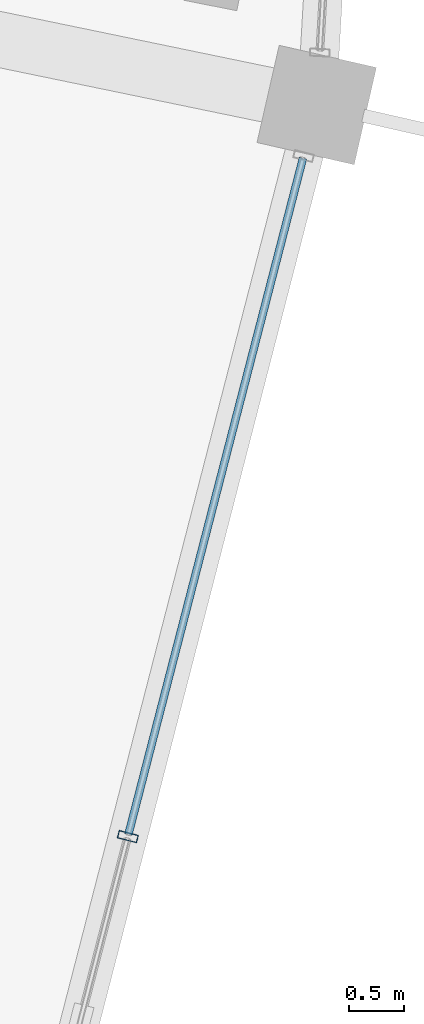
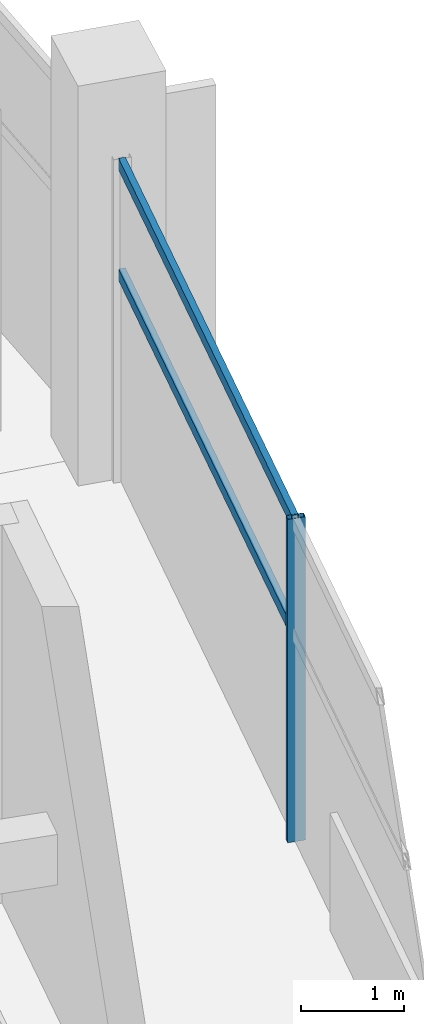
# One storey, part 57 of 156: 3 members, 1 element without a shape of its own.
"""IFC4 building model written with IfcOpenShell, lengths in metres."""

from ifc_helpers import new_model, si_unit, direction, frame, origin, origin_2d, place, context, subcontext, project, spatial, hollow_rectangle, extrude, material, layer, layer_set, material_profile, profile_set, type_object, element, aggregate, save


model = new_model("IFC4")

# Units and contexts
model_context = context("Model", 3, precision=1e-05, world=origin(), true_north=direction((0.0, 1.0)))
body_context = subcontext(model_context, "Body", "Model", "MODEL_VIEW")
ifc_project = project(units=[si_unit("LENGTHUNIT", "METRE"), si_unit("AREAUNIT", "SQUARE_METRE"), si_unit("VOLUMEUNIT", "CUBIC_METRE"), si_unit("PLANEANGLEUNIT", "RADIAN"), si_unit("MASSUNIT", "GRAM", prefix="KILO")], contexts=[model_context])

# Site, building, storey
site_placement = place(None, origin())
site = spatial("IfcSite", under=ifc_project, at=site_placement, CompositionType="ELEMENT")
building_placement = place(site_placement, origin())
building = spatial("IfcBuilding", under=site, at=building_placement, Name="Kazemori Nagisa Stadium", CompositionType="ELEMENT")
storey_placement = place(building_placement, frame((0.0, 0.0, 5.780029296875)))
storey = spatial("IfcBuildingStorey", under=building, at=storey_placement, Name="L01", CompositionType="ELEMENT", Elevation=5.780029296875)

# Curtain wall, members
ifc_material_1 = material(Name="Anodised aluminium 6063-T5", Category="aluminium")
ifc_layer = layer(ifc_material_1, 0.179931640625, Name="Anodised aluminium 6063-T5", Category="aluminium")
ifc_layer_set = layer_set([ifc_layer], Name="Anodised aluminium 6063-T5")
curtain_wall_type = type_object("IfcCurtainWallType", Name="CW_L01R3_96", PredefinedType="USERDEFINED", material=ifc_layer_set)
curtain_wall_placement = place(storey_placement, origin())
curtain_wall = element("IfcCurtainWall", 1, at=curtain_wall_placement, inside=storey, type_object=curtain_wall_type, Name="Unitised curtain wall CW-L01R3-96 L01", ObjectType="UNITISED CURTAIN WALL", PredefinedType="USERDEFINED")
ifc_material_2 = material(Name="Aluminium 6063-T5 anodised", Category="aluminium")
ifc_material_profile_1 = material_profile(ifc_material_2, hollow_rectangle(XDim=0.070068359375, YDim=0.179931640625, WallThickness=0.00390625, at=origin_2d()), Name="ALU-MULL-70x180x4")
ifc_profile_set_1 = profile_set([ifc_material_profile_1], Name="Aluminium 6063-T5 anodised")
member_type_1 = type_object("IfcMemberType", Name="Mullion_M01", PredefinedType="MULLION", material=ifc_profile_set_1)
member_1_placement = place(storey_placement, frame((215.176025390625, 75.998291015625, 0.0), z_axis=(0.0, 0.0, 1.0), x_axis=(0.249964642418, 0.968254965152, 0.0)))
member_1 = element("IfcMember", 2, at=member_1_placement, type_object=member_type_1, Name="Curtain wall mullion CW-L01R3-96-M3", PredefinedType="MULLION", context=body_context, shape_type="SweptSolid", body=[
    extrude(hollow_rectangle(XDim=0.070068359375, YDim=0.179931640625, WallThickness=0.00390625, at=origin_2d()), origin(), (0.0, 0.0, 1.0), 3.849853515625),
])
ifc_material_profile_2 = material_profile(ifc_material_2, hollow_rectangle(XDim=0.070068359375, YDim=0.139892578125, WallThickness=0.00390625, at=origin_2d()), Name="ALU-TRAN-70x140x4")
ifc_profile_set_2 = profile_set([ifc_material_profile_2], Name="Aluminium 6063-T5 anodised")
member_type_2 = type_object("IfcMemberType", Name="Transom_T01", PredefinedType="USERDEFINED", material=ifc_profile_set_2)
member_2_placement = place(storey_placement, frame((215.180908203125, 76.017822265625, 2.4638671875), z_axis=(0.249971699633, 0.968253143234, 0.0), x_axis=(-0.968253143234, 0.249971699633, 0.0)))
member_2 = element("IfcMember", 3, at=member_2_placement, type_object=member_type_2, Name="Curtain wall transom CW-L01R3-96-T3-mid", ObjectType="TRANSOM", PredefinedType="USERDEFINED", context=body_context, shape_type="SweptSolid", body=[
    extrude(hollow_rectangle(XDim=0.070068359375, YDim=0.139892578125, WallThickness=0.00390625, at=origin_2d()), origin(), (0.0, 0.0, 1.0), 6.305419921875),
])
member_3_placement = place(storey_placement, frame((215.180908203125, 76.017822265625, 3.780029296875), z_axis=(0.249971699633, 0.968253143234, 0.0), x_axis=(-0.968253143234, 0.249971699633, 0.0)))
member_3 = element("IfcMember", 4, at=member_3_placement, type_object=member_type_2, Name="Curtain wall transom CW-L01R3-96-T3-head", ObjectType="TRANSOM", PredefinedType="USERDEFINED", context=body_context, shape_type="SweptSolid", body=[
    extrude(hollow_rectangle(XDim=0.070068359375, YDim=0.139892578125, WallThickness=0.00390625, at=origin_2d()), origin(), (0.0, 0.0, 1.0), 6.305419921875),
])
aggregate(curtain_wall, [member_1, member_2, member_3])

save(model, "model.ifc")
